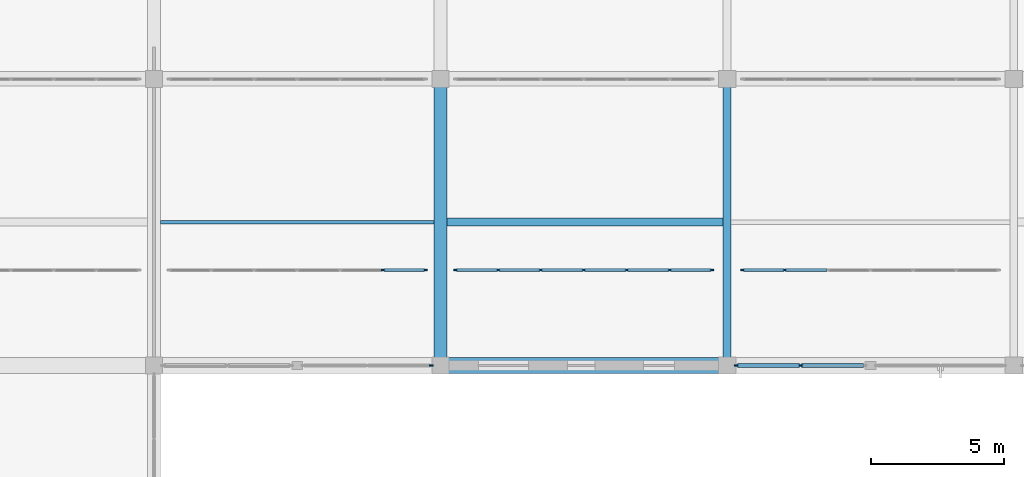
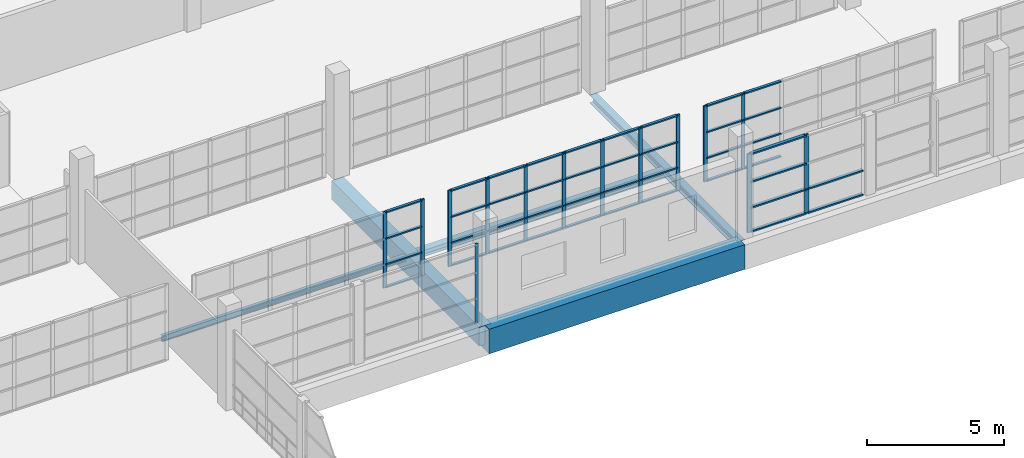
# One storey, part 43 of 142: 56 members, 5 beams, 5 elements without a shape of their own.
"""IFC4 building model written with IfcOpenShell, lengths in metres."""

from ifc_helpers import new_model, si_unit, direction, frame, origin, origin_2d, place, context, subcontext, project, spatial, rectangle, i_section, extrude, material, material_profile, profile_set, type_object, element, aggregate, save


model = new_model("IFC4")

# Units and contexts
model_context = context("Model", 3, precision=1e-05, world=origin(), true_north=direction((0.0, 1.0)))
body_context = subcontext(model_context, "Body", "Model", "MODEL_VIEW")
ifc_project = project(units=[si_unit("LENGTHUNIT", "METRE"), si_unit("AREAUNIT", "SQUARE_METRE"), si_unit("VOLUMEUNIT", "CUBIC_METRE"), si_unit("PLANEANGLEUNIT", "RADIAN"), si_unit("MASSUNIT", "GRAM", prefix="KILO")], contexts=[model_context])

# Site, building, storey
site_placement = place(None, origin())
site = spatial("IfcSite", under=ifc_project, at=site_placement, CompositionType="ELEMENT")
building_placement = place(site_placement, origin())
building = spatial("IfcBuilding", under=site, at=building_placement, Name="Zwinboog Wholesale Market", CompositionType="ELEMENT")
storey_placement = place(building_placement, frame((0.0, 0.0, 5.39990234375)))
storey = spatial("IfcBuildingStorey", under=building, at=storey_placement, Name="L01", CompositionType="ELEMENT", Elevation=5.39990234375)

# Beams
ifc_material_1 = material(Name="Precast concrete C45/55", Category="concrete")
ifc_material_profile_1 = material_profile(ifc_material_1, rectangle(XDim=0.60009765625, YDim=1.10009765625, at=origin_2d()), Name="PC 600x1100")
ifc_profile_set_1 = profile_set([ifc_material_profile_1], Name="Precast concrete C45/55")
beam_type_1 = type_object("IfcBeamType", Name="BT-01", PredefinedType="BEAM", material=ifc_profile_set_1)
beam_1_placement = place(storey_placement, frame((97.199951171875, 86.39990234375, -0.804931640625), z_axis=(1.0, 0.0, 0.0), x_axis=(0.0, 1.0, 0.0)))
element("IfcBeam", 1, at=beam_1_placement, inside=storey, type_object=beam_type_1, Name="BG-01 (BMG-L01-0972-0864-0518)", PredefinedType="BEAM", context=body_context, shape_type="SweptSolid", body=[
    extrude(rectangle(XDim=0.60009765625, YDim=1.10009765625, at=origin_2d()), origin(), (0.0, 0.0, 1.0), 10.800048828125),
])
ifc_material_profile_2 = material_profile(ifc_material_1, rectangle(XDim=0.5, YDim=0.85009765625, at=origin_2d()), Name="PC 500x850")
ifc_profile_set_2 = profile_set([ifc_material_profile_2], Name="Precast concrete C45/55")
beam_type_2 = type_object("IfcBeamType", Name="BT-03", PredefinedType="BEAM", material=ifc_profile_set_2)
beam_2_placement = place(storey_placement, frame((97.199951171875, 86.39990234375, -0.679931640625), z_axis=(0.0, 1.0, 0.0), x_axis=(-1.0, 0.0, 0.0)))
element("IfcBeam", 2, at=beam_2_placement, inside=storey, type_object=beam_type_2, Name="BG-03 (BMG-L01-0972-0864-0690)", PredefinedType="BEAM", context=body_context, shape_type="SweptSolid", body=[
    extrude(rectangle(XDim=0.5, YDim=0.85009765625, at=origin_2d()), origin(), (0.0, 0.0, 1.0), 10.800048828125),
])
ifc_material_2 = material(Name="Steel S355", Category="steel")
ifc_material_profile_3 = material_profile(ifc_material_2, i_section(OverallWidth=0.300048828125, OverallDepth=0.35009765625, WebThickness=0.010009765625, FlangeThickness=0.017578125, FilletRadius=0.027099609375, at=origin_2d()), Name="HEA 360")
ifc_profile_set_3 = profile_set([ifc_material_profile_3], Name="Steel S355")
beam_type_3 = type_object("IfcBeamType", Name="BT-17", PredefinedType="BEAM", material=ifc_profile_set_3)
beam_3_placement = place(storey_placement, frame((108.0, 86.39990234375, -0.429931640625), z_axis=(0.0, 1.0, 0.0), x_axis=(-1.0, 0.0, 0.0)))
element("IfcBeam", 3, at=beam_3_placement, inside=storey, type_object=beam_type_3, Name="SB-04 (BMG-L01-1080-0864-0694)", PredefinedType="BEAM", context=body_context, shape_type="SweptSolid", body=[
    extrude(i_section(OverallWidth=0.300048828125, OverallDepth=0.35009765625, WebThickness=0.010009765625, FlangeThickness=0.017578125, FilletRadius=0.027099609375, at=origin_2d()), origin(), (0.0, 0.0, 1.0), 10.800048828125),
])
ifc_material_profile_4 = material_profile(ifc_material_2, i_section(OverallWidth=0.300048828125, OverallDepth=0.2900390625, WebThickness=0.008544921875, FlangeThickness=0.013916015625, FilletRadius=0.027099609375, at=origin_2d()), Name="HEA 300")
ifc_profile_set_4 = profile_set([ifc_material_profile_4], Name="Steel S355")
beam_type_4 = type_object("IfcBeamType", Name="BT-18", PredefinedType="JOIST", material=ifc_profile_set_4)
beam_4_placement = place(storey_placement, frame((97.449951171875, 91.800048828125, -0.39990234375), z_axis=(1.0, 0.0, 0.0), x_axis=(0.0, 1.0, 0.0)))
element("IfcBeam", 4, at=beam_4_placement, inside=storey, type_object=beam_type_4, Name="SJ-01 (BMG-L01-0974-0918-0836)", PredefinedType="JOIST", context=body_context, shape_type="SweptSolid", body=[
    extrude(i_section(OverallWidth=0.300048828125, OverallDepth=0.2900390625, WebThickness=0.008544921875, FlangeThickness=0.013916015625, FilletRadius=0.027099609375, at=origin_2d()), origin(), (0.0, 0.0, 1.0), 10.400146484375),
])
ifc_material_profile_5 = material_profile(ifc_material_2, i_section(OverallWidth=0.135009765625, OverallDepth=0.27001953125, WebThickness=0.006591796875, FlangeThickness=0.01025390625, FilletRadius=0.014892578125, at=origin_2d()), Name="IPE 270")
ifc_profile_set_5 = profile_set([ifc_material_profile_5], Name="Steel S355")
beam_type_5 = type_object("IfcBeamType", Name="BT-21", PredefinedType="JOIST", material=ifc_profile_set_5)
beam_5_placement = place(storey_placement, frame((86.64990234375, 91.800048828125, -0.414794921875), z_axis=(1.0, 0.0, 0.0), x_axis=(0.0, 1.0, 0.0)))
element("IfcBeam", 5, at=beam_5_placement, inside=storey, type_object=beam_type_5, Name="SJ-04 (BMG-L01-0866-0918-0834)", PredefinedType="JOIST", context=body_context, shape_type="SweptSolid", body=[
    extrude(i_section(OverallWidth=0.135009765625, OverallDepth=0.27001953125, WebThickness=0.006591796875, FlangeThickness=0.01025390625, FilletRadius=0.014892578125, at=origin_2d()), origin(), (0.0, 0.0, 1.0), 10.300048828125),
])

# Curtain wall, members
ifc_material_3 = material(Name="Aluminium thermally broken curtain wall", Category="aluminium")
curtain_wall_type_1 = type_object("IfcCurtainWallType", Name="CWT-CAFE-22", PredefinedType="USERDEFINED", material=ifc_material_3)
curtain_wall_1_placement = place(storey_placement, origin())
curtain_wall_1 = element("IfcCurtainWall", 6, at=curtain_wall_1_placement, inside=storey, type_object=curtain_wall_type_1, Name="CW-05 (CW-L01-107)", ObjectType="STOREFRONT_GLAZING", PredefinedType="USERDEFINED")
ifc_material_4 = material(Name="Aluminium EN AW-6060", Category="aluminium")
ifc_material_profile_6 = material_profile(ifc_material_4, rectangle(XDim=0.06494140625, YDim=0.179931640625, at=origin_2d()), Name="AL 65x180")
ifc_profile_set_6 = profile_set([ifc_material_profile_6], Name="Aluminium EN AW-6060")
member_type_1 = type_object("IfcMemberType", Name="CWM-65x180", PredefinedType="MULLION", material=ifc_profile_set_6)
member_1_placement = place(storey_placement, frame((108.3525390625, 86.39990234375, 0.0), z_axis=(0.0, 0.0, 1.0), x_axis=(0.0, 1.0, 0.0)))
member_1 = element("IfcMember", 7, at=member_1_placement, type_object=member_type_1, Name="CW-05 mullion 1", PredefinedType="MULLION", context=body_context, shape_type="SweptSolid", body=[
    extrude(rectangle(XDim=0.06494140625, YDim=0.179931640625, at=origin_2d()), origin(), (0.0, 0.0, 1.0), 3.530029296875),
])
member_2_placement = place(storey_placement, frame((110.760009765625, 86.39990234375, 0.0), z_axis=(0.0, 0.0, 1.0), x_axis=(0.0, 1.0, 0.0)))
member_2 = element("IfcMember", 8, at=member_2_placement, type_object=member_type_1, Name="CW-05 mullion 2", PredefinedType="MULLION", context=body_context, shape_type="SweptSolid", body=[
    extrude(rectangle(XDim=0.06494140625, YDim=0.179931640625, at=origin_2d()), origin(), (0.0, 0.0, 1.0), 3.530029296875),
])

# Curtain wall, member
curtain_wall_type_2 = type_object("IfcCurtainWallType", Name="CWT-STALL-20", PredefinedType="USERDEFINED", material=ifc_material_3)
curtain_wall_2_placement = place(storey_placement, origin())
curtain_wall_2 = element("IfcCurtainWall", 9, at=curtain_wall_2_placement, inside=storey, type_object=curtain_wall_type_2, Name="CW-02 (CW-L01-098)", ObjectType="STOREFRONT_GLAZING", PredefinedType="USERDEFINED")
ifc_material_profile_7 = material_profile(ifc_material_4, rectangle(XDim=0.06005859375, YDim=0.14990234375, at=origin_2d()), Name="AL 60x150")
ifc_profile_set_7 = profile_set([ifc_material_profile_7], Name="Aluminium EN AW-6060")
member_type_2 = type_object("IfcMemberType", Name="CWM-60x150", PredefinedType="MULLION", material=ifc_profile_set_7)
member_3_placement = place(storey_placement, frame((96.85009765625, 86.39990234375, 0.0), z_axis=(0.0, 0.0, 1.0), x_axis=(0.0, 1.0, 0.0)))
member_3 = element("IfcMember", 10, at=member_3_placement, type_object=member_type_2, Name="CW-02 mullion 3", PredefinedType="MULLION", context=body_context, shape_type="SweptSolid", body=[
    extrude(rectangle(XDim=0.06005859375, YDim=0.14990234375, at=origin_2d()), origin(), (0.0, 0.0, 1.0), 3.530029296875),
])
aggregate(curtain_wall_2, [member_3])

# Member
ifc_material_profile_8 = material_profile(ifc_material_4, rectangle(XDim=0.139892578125, YDim=0.06494140625, at=origin_2d()), Name="AL 65x140")
ifc_profile_set_8 = profile_set([ifc_material_profile_8], Name="Aluminium EN AW-6060")
member_type_3 = type_object("IfcMemberType", Name="CWT-65x140", PredefinedType="USERDEFINED", material=ifc_profile_set_8)
member_4_placement = place(storey_placement, frame((108.385009765625, 86.39990234375, 0.03271484375), z_axis=(1.0, 0.0, 0.0), x_axis=(0.0, 1.0, 0.0)))
member_4 = element("IfcMember", 11, at=member_4_placement, type_object=member_type_3, Name="CW-05 transom 1.1", ObjectType="TRANSOM", PredefinedType="USERDEFINED", context=body_context, shape_type="SweptSolid", body=[
    extrude(rectangle(XDim=0.139892578125, YDim=0.06494140625, at=origin_2d()), origin(), (0.0, 0.0, 1.0), 2.342529296875),
])

member_5_placement = place(storey_placement, frame((108.385009765625, 86.39990234375, 1.10009765625), z_axis=(1.0, 0.0, 0.0), x_axis=(0.0, 1.0, 0.0)))
member_5 = element("IfcMember", 12, at=member_5_placement, type_object=member_type_3, Name="CW-05 transom 1.2", ObjectType="TRANSOM", PredefinedType="USERDEFINED", context=body_context, shape_type="SweptSolid", body=[
    extrude(rectangle(XDim=0.139892578125, YDim=0.06494140625, at=origin_2d()), origin(), (0.0, 0.0, 1.0), 2.342529296875),
])

member_6_placement = place(storey_placement, frame((108.385009765625, 86.39990234375, 2.25), z_axis=(1.0, 0.0, 0.0), x_axis=(0.0, 1.0, 0.0)))
member_6 = element("IfcMember", 13, at=member_6_placement, type_object=member_type_3, Name="CW-05 transom 1.3", ObjectType="TRANSOM", PredefinedType="USERDEFINED", context=body_context, shape_type="SweptSolid", body=[
    extrude(rectangle(XDim=0.139892578125, YDim=0.06494140625, at=origin_2d()), origin(), (0.0, 0.0, 1.0), 2.342529296875),
])

member_7_placement = place(storey_placement, frame((108.385009765625, 86.39990234375, 3.49755859375), z_axis=(1.0, 0.0, 0.0), x_axis=(0.0, 1.0, 0.0)))
member_7 = element("IfcMember", 14, at=member_7_placement, type_object=member_type_3, Name="CW-05 transom 1.4", ObjectType="TRANSOM", PredefinedType="USERDEFINED", context=body_context, shape_type="SweptSolid", body=[
    extrude(rectangle(XDim=0.139892578125, YDim=0.06494140625, at=origin_2d()), origin(), (0.0, 0.0, 1.0), 2.342529296875),
])

member_8_placement = place(storey_placement, frame((110.79248046875, 86.39990234375, 0.03271484375), z_axis=(1.0, 0.0, 0.0), x_axis=(0.0, 1.0, 0.0)))
member_8 = element("IfcMember", 15, at=member_8_placement, type_object=member_type_3, Name="CW-05 transom 2.1", ObjectType="TRANSOM", PredefinedType="USERDEFINED", context=body_context, shape_type="SweptSolid", body=[
    extrude(rectangle(XDim=0.139892578125, YDim=0.06494140625, at=origin_2d()), origin(), (0.0, 0.0, 1.0), 2.342529296875),
])

member_9_placement = place(storey_placement, frame((110.79248046875, 86.39990234375, 1.10009765625), z_axis=(1.0, 0.0, 0.0), x_axis=(0.0, 1.0, 0.0)))
member_9 = element("IfcMember", 16, at=member_9_placement, type_object=member_type_3, Name="CW-05 transom 2.2", ObjectType="TRANSOM", PredefinedType="USERDEFINED", context=body_context, shape_type="SweptSolid", body=[
    extrude(rectangle(XDim=0.139892578125, YDim=0.06494140625, at=origin_2d()), origin(), (0.0, 0.0, 1.0), 2.342529296875),
])

aggregate(curtain_wall_1, [member_1, member_2, member_4, member_5, member_6, member_7, member_8, member_9])

# Curtain wall, members
curtain_wall_type_3 = type_object("IfcCurtainWallType", Name="CWT-INT-STALL", PredefinedType="USERDEFINED", material=ifc_material_3)
curtain_wall_3_placement = place(storey_placement, origin())
curtain_wall_3 = element("IfcCurtainWall", 17, at=curtain_wall_3_placement, inside=storey, type_object=curtain_wall_type_3, Name="CW-07 (CW-STL-237)", ObjectType="STOREFRONT_GLAZING", PredefinedType="USERDEFINED")
ifc_material_profile_9 = material_profile(ifc_material_4, rectangle(XDim=0.06005859375, YDim=0.14990234375, at=origin_2d()), Name="AL 60x150")
ifc_profile_set_9 = profile_set([ifc_material_profile_9], Name="Aluminium EN AW-6060")
member_type_4 = type_object("IfcMemberType", Name="CWM-INT-60x120", PredefinedType="MULLION", material=ifc_profile_set_9)
member_10_placement = place(storey_placement, frame((95.033447265625, 90.0, 0.0), z_axis=(0.0, 0.0, 1.0), x_axis=(0.0, 1.0, 0.0)))
member_10 = element("IfcMember", 18, at=member_10_placement, type_object=member_type_4, Name="CW-07 mullion 6", PredefinedType="MULLION", context=body_context, shape_type="SweptSolid", body=[
    extrude(rectangle(XDim=0.06005859375, YDim=0.14990234375, at=origin_2d()), origin(), (0.0, 0.0, 1.0), 3.400146484375),
])
member_11_placement = place(storey_placement, frame((96.6201171875, 90.0, 0.0), z_axis=(0.0, 0.0, 1.0), x_axis=(0.0, 1.0, 0.0)))
member_11 = element("IfcMember", 19, at=member_11_placement, type_object=member_type_4, Name="CW-07 mullion 7", PredefinedType="MULLION", context=body_context, shape_type="SweptSolid", body=[
    extrude(rectangle(XDim=0.06005859375, YDim=0.14990234375, at=origin_2d()), origin(), (0.0, 0.0, 1.0), 3.400146484375),
])

curtain_wall_4_placement = place(storey_placement, origin())
curtain_wall_4 = element("IfcCurtainWall", 20, at=curtain_wall_4_placement, inside=storey, type_object=curtain_wall_type_3, Name="CW-07 (CW-STL-238)", ObjectType="STOREFRONT_GLAZING", PredefinedType="USERDEFINED")
member_12_placement = place(storey_placement, frame((97.780029296875, 90.0, 0.0), z_axis=(0.0, 0.0, 1.0), x_axis=(0.0, 1.0, 0.0)))
member_12 = element("IfcMember", 21, at=member_12_placement, type_object=member_type_4, Name="CW-07 mullion 1", PredefinedType="MULLION", context=body_context, shape_type="SweptSolid", body=[
    extrude(rectangle(XDim=0.06005859375, YDim=0.14990234375, at=origin_2d()), origin(), (0.0, 0.0, 1.0), 3.400146484375),
])
member_13_placement = place(storey_placement, frame((99.36669921875, 90.0, 0.0), z_axis=(0.0, 0.0, 1.0), x_axis=(0.0, 1.0, 0.0)))
member_13 = element("IfcMember", 22, at=member_13_placement, type_object=member_type_4, Name="CW-07 mullion 2", PredefinedType="MULLION", context=body_context, shape_type="SweptSolid", body=[
    extrude(rectangle(XDim=0.06005859375, YDim=0.14990234375, at=origin_2d()), origin(), (0.0, 0.0, 1.0), 3.400146484375),
])
member_14_placement = place(storey_placement, frame((100.9833984375, 90.0, 0.0), z_axis=(0.0, 0.0, 1.0), x_axis=(0.0, 1.0, 0.0)))
member_14 = element("IfcMember", 23, at=member_14_placement, type_object=member_type_4, Name="CW-07 mullion 3", PredefinedType="MULLION", context=body_context, shape_type="SweptSolid", body=[
    extrude(rectangle(XDim=0.06005859375, YDim=0.14990234375, at=origin_2d()), origin(), (0.0, 0.0, 1.0), 3.400146484375),
])
member_15_placement = place(storey_placement, frame((102.60009765625, 90.0, 0.0), z_axis=(0.0, 0.0, 1.0), x_axis=(0.0, 1.0, 0.0)))
member_15 = element("IfcMember", 24, at=member_15_placement, type_object=member_type_4, Name="CW-07 mullion 4", PredefinedType="MULLION", context=body_context, shape_type="SweptSolid", body=[
    extrude(rectangle(XDim=0.06005859375, YDim=0.14990234375, at=origin_2d()), origin(), (0.0, 0.0, 1.0), 3.400146484375),
])
member_16_placement = place(storey_placement, frame((104.216552734375, 90.0, 0.0), z_axis=(0.0, 0.0, 1.0), x_axis=(0.0, 1.0, 0.0)))
member_16 = element("IfcMember", 25, at=member_16_placement, type_object=member_type_4, Name="CW-07 mullion 5", PredefinedType="MULLION", context=body_context, shape_type="SweptSolid", body=[
    extrude(rectangle(XDim=0.06005859375, YDim=0.14990234375, at=origin_2d()), origin(), (0.0, 0.0, 1.0), 3.400146484375),
])
member_17_placement = place(storey_placement, frame((105.833251953125, 90.0, 0.0), z_axis=(0.0, 0.0, 1.0), x_axis=(0.0, 1.0, 0.0)))
member_17 = element("IfcMember", 26, at=member_17_placement, type_object=member_type_4, Name="CW-07 mullion 6", PredefinedType="MULLION", context=body_context, shape_type="SweptSolid", body=[
    extrude(rectangle(XDim=0.06005859375, YDim=0.14990234375, at=origin_2d()), origin(), (0.0, 0.0, 1.0), 3.400146484375),
])
member_18_placement = place(storey_placement, frame((107.419921875, 90.0, 0.0), z_axis=(0.0, 0.0, 1.0), x_axis=(0.0, 1.0, 0.0)))
member_18 = element("IfcMember", 27, at=member_18_placement, type_object=member_type_4, Name="CW-07 mullion 7", PredefinedType="MULLION", context=body_context, shape_type="SweptSolid", body=[
    extrude(rectangle(XDim=0.06005859375, YDim=0.14990234375, at=origin_2d()), origin(), (0.0, 0.0, 1.0), 3.400146484375),
])

curtain_wall_5_placement = place(storey_placement, origin())
curtain_wall_5 = element("IfcCurtainWall", 28, at=curtain_wall_5_placement, inside=storey, type_object=curtain_wall_type_3, Name="CW-07 (CW-STL-239)", ObjectType="STOREFRONT_GLAZING", PredefinedType="USERDEFINED")
member_19_placement = place(storey_placement, frame((108.580078125, 90.0, 0.0), z_axis=(0.0, 0.0, 1.0), x_axis=(0.0, 1.0, 0.0)))
member_19 = element("IfcMember", 29, at=member_19_placement, type_object=member_type_4, Name="CW-07 mullion 1", PredefinedType="MULLION", context=body_context, shape_type="SweptSolid", body=[
    extrude(rectangle(XDim=0.06005859375, YDim=0.14990234375, at=origin_2d()), origin(), (0.0, 0.0, 1.0), 3.400146484375),
])
member_20_placement = place(storey_placement, frame((110.166748046875, 90.0, 0.0), z_axis=(0.0, 0.0, 1.0), x_axis=(0.0, 1.0, 0.0)))
member_20 = element("IfcMember", 30, at=member_20_placement, type_object=member_type_4, Name="CW-07 mullion 2", PredefinedType="MULLION", context=body_context, shape_type="SweptSolid", body=[
    extrude(rectangle(XDim=0.06005859375, YDim=0.14990234375, at=origin_2d()), origin(), (0.0, 0.0, 1.0), 3.400146484375),
])

# Member
ifc_material_profile_10 = material_profile(ifc_material_4, rectangle(XDim=0.110107421875, YDim=0.06005859375, at=origin_2d()), Name="AL 60x110")
ifc_profile_set_10 = profile_set([ifc_material_profile_10], Name="Aluminium EN AW-6060")
member_type_5 = type_object("IfcMemberType", Name="CWT-INT-60x100", PredefinedType="USERDEFINED", material=ifc_profile_set_10)
member_21_placement = place(storey_placement, frame((95.063232421875, 90.0, 0.030029296875), z_axis=(1.0, 0.0, 0.0), x_axis=(0.0, 1.0, 0.0)))
member_21 = element("IfcMember", 31, at=member_21_placement, type_object=member_type_5, Name="CW-07 transom 6.1", ObjectType="TRANSOM", PredefinedType="USERDEFINED", context=body_context, shape_type="SweptSolid", body=[
    extrude(rectangle(XDim=0.110107421875, YDim=0.06005859375, at=origin_2d()), origin(), (0.0, 0.0, 1.0), 1.52685546875),
])

member_22_placement = place(storey_placement, frame((95.063232421875, 90.0, 1.050048828125), z_axis=(1.0, 0.0, 0.0), x_axis=(0.0, 1.0, 0.0)))
member_22 = element("IfcMember", 32, at=member_22_placement, type_object=member_type_5, Name="CW-07 transom 6.2", ObjectType="TRANSOM", PredefinedType="USERDEFINED", context=body_context, shape_type="SweptSolid", body=[
    extrude(rectangle(XDim=0.110107421875, YDim=0.06005859375, at=origin_2d()), origin(), (0.0, 0.0, 1.0), 1.52685546875),
])

member_23_placement = place(storey_placement, frame((95.063232421875, 90.0, 2.2001953125), z_axis=(1.0, 0.0, 0.0), x_axis=(0.0, 1.0, 0.0)))
member_23 = element("IfcMember", 33, at=member_23_placement, type_object=member_type_5, Name="CW-07 transom 6.3", ObjectType="TRANSOM", PredefinedType="USERDEFINED", context=body_context, shape_type="SweptSolid", body=[
    extrude(rectangle(XDim=0.110107421875, YDim=0.06005859375, at=origin_2d()), origin(), (0.0, 0.0, 1.0), 1.52685546875),
])

member_24_placement = place(storey_placement, frame((95.063232421875, 90.0, 3.3701171875), z_axis=(1.0, 0.0, 0.0), x_axis=(0.0, 1.0, 0.0)))
member_24 = element("IfcMember", 34, at=member_24_placement, type_object=member_type_5, Name="CW-07 transom 6.4", ObjectType="TRANSOM", PredefinedType="USERDEFINED", context=body_context, shape_type="SweptSolid", body=[
    extrude(rectangle(XDim=0.110107421875, YDim=0.06005859375, at=origin_2d()), origin(), (0.0, 0.0, 1.0), 1.52685546875),
])

aggregate(curtain_wall_3, [member_10, member_11, member_21, member_22, member_23, member_24])

member_25_placement = place(storey_placement, frame((97.81005859375, 90.0, 0.030029296875), z_axis=(1.0, 0.0, 0.0), x_axis=(0.0, 1.0, 0.0)))
member_25 = element("IfcMember", 35, at=member_25_placement, type_object=member_type_5, Name="CW-07 transom 1.1", ObjectType="TRANSOM", PredefinedType="USERDEFINED", context=body_context, shape_type="SweptSolid", body=[
    extrude(rectangle(XDim=0.110107421875, YDim=0.06005859375, at=origin_2d()), origin(), (0.0, 0.0, 1.0), 1.526611328125),
])

member_26_placement = place(storey_placement, frame((97.81005859375, 90.0, 1.050048828125), z_axis=(1.0, 0.0, 0.0), x_axis=(0.0, 1.0, 0.0)))
member_26 = element("IfcMember", 36, at=member_26_placement, type_object=member_type_5, Name="CW-07 transom 1.2", ObjectType="TRANSOM", PredefinedType="USERDEFINED", context=body_context, shape_type="SweptSolid", body=[
    extrude(rectangle(XDim=0.110107421875, YDim=0.06005859375, at=origin_2d()), origin(), (0.0, 0.0, 1.0), 1.526611328125),
])

member_27_placement = place(storey_placement, frame((97.81005859375, 90.0, 2.2001953125), z_axis=(1.0, 0.0, 0.0), x_axis=(0.0, 1.0, 0.0)))
member_27 = element("IfcMember", 37, at=member_27_placement, type_object=member_type_5, Name="CW-07 transom 1.3", ObjectType="TRANSOM", PredefinedType="USERDEFINED", context=body_context, shape_type="SweptSolid", body=[
    extrude(rectangle(XDim=0.110107421875, YDim=0.06005859375, at=origin_2d()), origin(), (0.0, 0.0, 1.0), 1.526611328125),
])

member_28_placement = place(storey_placement, frame((97.81005859375, 90.0, 3.3701171875), z_axis=(1.0, 0.0, 0.0), x_axis=(0.0, 1.0, 0.0)))
member_28 = element("IfcMember", 38, at=member_28_placement, type_object=member_type_5, Name="CW-07 transom 1.4", ObjectType="TRANSOM", PredefinedType="USERDEFINED", context=body_context, shape_type="SweptSolid", body=[
    extrude(rectangle(XDim=0.110107421875, YDim=0.06005859375, at=origin_2d()), origin(), (0.0, 0.0, 1.0), 1.526611328125),
])

member_29_placement = place(storey_placement, frame((99.396728515625, 90.0, 0.030029296875), z_axis=(1.0, 0.0, 0.0), x_axis=(0.0, 1.0, 0.0)))
member_29 = element("IfcMember", 39, at=member_29_placement, type_object=member_type_5, Name="CW-07 transom 2.1", ObjectType="TRANSOM", PredefinedType="USERDEFINED", context=body_context, shape_type="SweptSolid", body=[
    extrude(rectangle(XDim=0.110107421875, YDim=0.06005859375, at=origin_2d()), origin(), (0.0, 0.0, 1.0), 1.556640625),
])

member_30_placement = place(storey_placement, frame((99.396728515625, 90.0, 1.050048828125), z_axis=(1.0, 0.0, 0.0), x_axis=(0.0, 1.0, 0.0)))
member_30 = element("IfcMember", 40, at=member_30_placement, type_object=member_type_5, Name="CW-07 transom 2.2", ObjectType="TRANSOM", PredefinedType="USERDEFINED", context=body_context, shape_type="SweptSolid", body=[
    extrude(rectangle(XDim=0.110107421875, YDim=0.06005859375, at=origin_2d()), origin(), (0.0, 0.0, 1.0), 1.556640625),
])

member_31_placement = place(storey_placement, frame((99.396728515625, 90.0, 2.2001953125), z_axis=(1.0, 0.0, 0.0), x_axis=(0.0, 1.0, 0.0)))
member_31 = element("IfcMember", 41, at=member_31_placement, type_object=member_type_5, Name="CW-07 transom 2.3", ObjectType="TRANSOM", PredefinedType="USERDEFINED", context=body_context, shape_type="SweptSolid", body=[
    extrude(rectangle(XDim=0.110107421875, YDim=0.06005859375, at=origin_2d()), origin(), (0.0, 0.0, 1.0), 1.556640625),
])

member_32_placement = place(storey_placement, frame((99.396728515625, 90.0, 3.3701171875), z_axis=(1.0, 0.0, 0.0), x_axis=(0.0, 1.0, 0.0)))
member_32 = element("IfcMember", 42, at=member_32_placement, type_object=member_type_5, Name="CW-07 transom 2.4", ObjectType="TRANSOM", PredefinedType="USERDEFINED", context=body_context, shape_type="SweptSolid", body=[
    extrude(rectangle(XDim=0.110107421875, YDim=0.06005859375, at=origin_2d()), origin(), (0.0, 0.0, 1.0), 1.556640625),
])

member_33_placement = place(storey_placement, frame((101.013427734375, 90.0, 0.030029296875), z_axis=(1.0, 0.0, 0.0), x_axis=(0.0, 1.0, 0.0)))
member_33 = element("IfcMember", 43, at=member_33_placement, type_object=member_type_5, Name="CW-07 transom 3.1", ObjectType="TRANSOM", PredefinedType="USERDEFINED", context=body_context, shape_type="SweptSolid", body=[
    extrude(rectangle(XDim=0.110107421875, YDim=0.06005859375, at=origin_2d()), origin(), (0.0, 0.0, 1.0), 1.556640625),
])

member_34_placement = place(storey_placement, frame((101.013427734375, 90.0, 1.050048828125), z_axis=(1.0, 0.0, 0.0), x_axis=(0.0, 1.0, 0.0)))
member_34 = element("IfcMember", 44, at=member_34_placement, type_object=member_type_5, Name="CW-07 transom 3.2", ObjectType="TRANSOM", PredefinedType="USERDEFINED", context=body_context, shape_type="SweptSolid", body=[
    extrude(rectangle(XDim=0.110107421875, YDim=0.06005859375, at=origin_2d()), origin(), (0.0, 0.0, 1.0), 1.556640625),
])

member_35_placement = place(storey_placement, frame((101.013427734375, 90.0, 2.2001953125), z_axis=(1.0, 0.0, 0.0), x_axis=(0.0, 1.0, 0.0)))
member_35 = element("IfcMember", 45, at=member_35_placement, type_object=member_type_5, Name="CW-07 transom 3.3", ObjectType="TRANSOM", PredefinedType="USERDEFINED", context=body_context, shape_type="SweptSolid", body=[
    extrude(rectangle(XDim=0.110107421875, YDim=0.06005859375, at=origin_2d()), origin(), (0.0, 0.0, 1.0), 1.556640625),
])

member_36_placement = place(storey_placement, frame((101.013427734375, 90.0, 3.3701171875), z_axis=(1.0, 0.0, 0.0), x_axis=(0.0, 1.0, 0.0)))
member_36 = element("IfcMember", 46, at=member_36_placement, type_object=member_type_5, Name="CW-07 transom 3.4", ObjectType="TRANSOM", PredefinedType="USERDEFINED", context=body_context, shape_type="SweptSolid", body=[
    extrude(rectangle(XDim=0.110107421875, YDim=0.06005859375, at=origin_2d()), origin(), (0.0, 0.0, 1.0), 1.556640625),
])

member_37_placement = place(storey_placement, frame((102.6298828125, 90.0, 0.030029296875), z_axis=(1.0, 0.0, 0.0), x_axis=(0.0, 1.0, 0.0)))
member_37 = element("IfcMember", 47, at=member_37_placement, type_object=member_type_5, Name="CW-07 transom 4.1", ObjectType="TRANSOM", PredefinedType="USERDEFINED", context=body_context, shape_type="SweptSolid", body=[
    extrude(rectangle(XDim=0.110107421875, YDim=0.06005859375, at=origin_2d()), origin(), (0.0, 0.0, 1.0), 1.556884765625),
])

member_38_placement = place(storey_placement, frame((102.6298828125, 90.0, 1.050048828125), z_axis=(1.0, 0.0, 0.0), x_axis=(0.0, 1.0, 0.0)))
member_38 = element("IfcMember", 48, at=member_38_placement, type_object=member_type_5, Name="CW-07 transom 4.2", ObjectType="TRANSOM", PredefinedType="USERDEFINED", context=body_context, shape_type="SweptSolid", body=[
    extrude(rectangle(XDim=0.110107421875, YDim=0.06005859375, at=origin_2d()), origin(), (0.0, 0.0, 1.0), 1.556884765625),
])

member_39_placement = place(storey_placement, frame((102.6298828125, 90.0, 2.2001953125), z_axis=(1.0, 0.0, 0.0), x_axis=(0.0, 1.0, 0.0)))
member_39 = element("IfcMember", 49, at=member_39_placement, type_object=member_type_5, Name="CW-07 transom 4.3", ObjectType="TRANSOM", PredefinedType="USERDEFINED", context=body_context, shape_type="SweptSolid", body=[
    extrude(rectangle(XDim=0.110107421875, YDim=0.06005859375, at=origin_2d()), origin(), (0.0, 0.0, 1.0), 1.556884765625),
])

member_40_placement = place(storey_placement, frame((102.6298828125, 90.0, 3.3701171875), z_axis=(1.0, 0.0, 0.0), x_axis=(0.0, 1.0, 0.0)))
member_40 = element("IfcMember", 50, at=member_40_placement, type_object=member_type_5, Name="CW-07 transom 4.4", ObjectType="TRANSOM", PredefinedType="USERDEFINED", context=body_context, shape_type="SweptSolid", body=[
    extrude(rectangle(XDim=0.110107421875, YDim=0.06005859375, at=origin_2d()), origin(), (0.0, 0.0, 1.0), 1.556884765625),
])

member_41_placement = place(storey_placement, frame((104.24658203125, 90.0, 0.030029296875), z_axis=(1.0, 0.0, 0.0), x_axis=(0.0, 1.0, 0.0)))
member_41 = element("IfcMember", 51, at=member_41_placement, type_object=member_type_5, Name="CW-07 transom 5.1", ObjectType="TRANSOM", PredefinedType="USERDEFINED", context=body_context, shape_type="SweptSolid", body=[
    extrude(rectangle(XDim=0.110107421875, YDim=0.06005859375, at=origin_2d()), origin(), (0.0, 0.0, 1.0), 1.556640625),
])

member_42_placement = place(storey_placement, frame((104.24658203125, 90.0, 1.050048828125), z_axis=(1.0, 0.0, 0.0), x_axis=(0.0, 1.0, 0.0)))
member_42 = element("IfcMember", 52, at=member_42_placement, type_object=member_type_5, Name="CW-07 transom 5.2", ObjectType="TRANSOM", PredefinedType="USERDEFINED", context=body_context, shape_type="SweptSolid", body=[
    extrude(rectangle(XDim=0.110107421875, YDim=0.06005859375, at=origin_2d()), origin(), (0.0, 0.0, 1.0), 1.556640625),
])

member_43_placement = place(storey_placement, frame((104.24658203125, 90.0, 2.2001953125), z_axis=(1.0, 0.0, 0.0), x_axis=(0.0, 1.0, 0.0)))
member_43 = element("IfcMember", 53, at=member_43_placement, type_object=member_type_5, Name="CW-07 transom 5.3", ObjectType="TRANSOM", PredefinedType="USERDEFINED", context=body_context, shape_type="SweptSolid", body=[
    extrude(rectangle(XDim=0.110107421875, YDim=0.06005859375, at=origin_2d()), origin(), (0.0, 0.0, 1.0), 1.556640625),
])

member_44_placement = place(storey_placement, frame((104.24658203125, 90.0, 3.3701171875), z_axis=(1.0, 0.0, 0.0), x_axis=(0.0, 1.0, 0.0)))
member_44 = element("IfcMember", 54, at=member_44_placement, type_object=member_type_5, Name="CW-07 transom 5.4", ObjectType="TRANSOM", PredefinedType="USERDEFINED", context=body_context, shape_type="SweptSolid", body=[
    extrude(rectangle(XDim=0.110107421875, YDim=0.06005859375, at=origin_2d()), origin(), (0.0, 0.0, 1.0), 1.556640625),
])

member_45_placement = place(storey_placement, frame((105.86328125, 90.0, 0.030029296875), z_axis=(1.0, 0.0, 0.0), x_axis=(0.0, 1.0, 0.0)))
member_45 = element("IfcMember", 55, at=member_45_placement, type_object=member_type_5, Name="CW-07 transom 6.1", ObjectType="TRANSOM", PredefinedType="USERDEFINED", context=body_context, shape_type="SweptSolid", body=[
    extrude(rectangle(XDim=0.110107421875, YDim=0.06005859375, at=origin_2d()), origin(), (0.0, 0.0, 1.0), 1.526611328125),
])

member_46_placement = place(storey_placement, frame((105.86328125, 90.0, 1.050048828125), z_axis=(1.0, 0.0, 0.0), x_axis=(0.0, 1.0, 0.0)))
member_46 = element("IfcMember", 56, at=member_46_placement, type_object=member_type_5, Name="CW-07 transom 6.2", ObjectType="TRANSOM", PredefinedType="USERDEFINED", context=body_context, shape_type="SweptSolid", body=[
    extrude(rectangle(XDim=0.110107421875, YDim=0.06005859375, at=origin_2d()), origin(), (0.0, 0.0, 1.0), 1.526611328125),
])

member_47_placement = place(storey_placement, frame((105.86328125, 90.0, 2.2001953125), z_axis=(1.0, 0.0, 0.0), x_axis=(0.0, 1.0, 0.0)))
member_47 = element("IfcMember", 57, at=member_47_placement, type_object=member_type_5, Name="CW-07 transom 6.3", ObjectType="TRANSOM", PredefinedType="USERDEFINED", context=body_context, shape_type="SweptSolid", body=[
    extrude(rectangle(XDim=0.110107421875, YDim=0.06005859375, at=origin_2d()), origin(), (0.0, 0.0, 1.0), 1.526611328125),
])

member_48_placement = place(storey_placement, frame((105.86328125, 90.0, 3.3701171875), z_axis=(1.0, 0.0, 0.0), x_axis=(0.0, 1.0, 0.0)))
member_48 = element("IfcMember", 58, at=member_48_placement, type_object=member_type_5, Name="CW-07 transom 6.4", ObjectType="TRANSOM", PredefinedType="USERDEFINED", context=body_context, shape_type="SweptSolid", body=[
    extrude(rectangle(XDim=0.110107421875, YDim=0.06005859375, at=origin_2d()), origin(), (0.0, 0.0, 1.0), 1.526611328125),
])

aggregate(curtain_wall_4, [member_12, member_13, member_14, member_15, member_16, member_17, member_18, member_25, member_26, member_27, member_28, member_29, member_30, member_31, member_32, member_33, member_34, member_35, member_36, member_37, member_38, member_39, member_40, member_41, member_42, member_43, member_44, member_45, member_46, member_47, member_48])

member_49_placement = place(storey_placement, frame((108.610107421875, 90.0, 0.030029296875), z_axis=(1.0, 0.0, 0.0), x_axis=(0.0, 1.0, 0.0)))
member_49 = element("IfcMember", 59, at=member_49_placement, type_object=member_type_5, Name="CW-07 transom 1.1", ObjectType="TRANSOM", PredefinedType="USERDEFINED", context=body_context, shape_type="SweptSolid", body=[
    extrude(rectangle(XDim=0.110107421875, YDim=0.06005859375, at=origin_2d()), origin(), (0.0, 0.0, 1.0), 1.526611328125),
])

member_50_placement = place(storey_placement, frame((108.610107421875, 90.0, 1.050048828125), z_axis=(1.0, 0.0, 0.0), x_axis=(0.0, 1.0, 0.0)))
member_50 = element("IfcMember", 60, at=member_50_placement, type_object=member_type_5, Name="CW-07 transom 1.2", ObjectType="TRANSOM", PredefinedType="USERDEFINED", context=body_context, shape_type="SweptSolid", body=[
    extrude(rectangle(XDim=0.110107421875, YDim=0.06005859375, at=origin_2d()), origin(), (0.0, 0.0, 1.0), 1.526611328125),
])

member_51_placement = place(storey_placement, frame((108.610107421875, 90.0, 2.2001953125), z_axis=(1.0, 0.0, 0.0), x_axis=(0.0, 1.0, 0.0)))
member_51 = element("IfcMember", 61, at=member_51_placement, type_object=member_type_5, Name="CW-07 transom 1.3", ObjectType="TRANSOM", PredefinedType="USERDEFINED", context=body_context, shape_type="SweptSolid", body=[
    extrude(rectangle(XDim=0.110107421875, YDim=0.06005859375, at=origin_2d()), origin(), (0.0, 0.0, 1.0), 1.526611328125),
])

member_52_placement = place(storey_placement, frame((108.610107421875, 90.0, 3.3701171875), z_axis=(1.0, 0.0, 0.0), x_axis=(0.0, 1.0, 0.0)))
member_52 = element("IfcMember", 62, at=member_52_placement, type_object=member_type_5, Name="CW-07 transom 1.4", ObjectType="TRANSOM", PredefinedType="USERDEFINED", context=body_context, shape_type="SweptSolid", body=[
    extrude(rectangle(XDim=0.110107421875, YDim=0.06005859375, at=origin_2d()), origin(), (0.0, 0.0, 1.0), 1.526611328125),
])

member_53_placement = place(storey_placement, frame((110.19677734375, 90.0, 0.030029296875), z_axis=(1.0, 0.0, 0.0), x_axis=(0.0, 1.0, 0.0)))
member_53 = element("IfcMember", 63, at=member_53_placement, type_object=member_type_5, Name="CW-07 transom 2.1", ObjectType="TRANSOM", PredefinedType="USERDEFINED", context=body_context, shape_type="SweptSolid", body=[
    extrude(rectangle(XDim=0.110107421875, YDim=0.06005859375, at=origin_2d()), origin(), (0.0, 0.0, 1.0), 1.556640625),
])

member_54_placement = place(storey_placement, frame((110.19677734375, 90.0, 1.050048828125), z_axis=(1.0, 0.0, 0.0), x_axis=(0.0, 1.0, 0.0)))
member_54 = element("IfcMember", 64, at=member_54_placement, type_object=member_type_5, Name="CW-07 transom 2.2", ObjectType="TRANSOM", PredefinedType="USERDEFINED", context=body_context, shape_type="SweptSolid", body=[
    extrude(rectangle(XDim=0.110107421875, YDim=0.06005859375, at=origin_2d()), origin(), (0.0, 0.0, 1.0), 1.556640625),
])

member_55_placement = place(storey_placement, frame((110.19677734375, 90.0, 2.2001953125), z_axis=(1.0, 0.0, 0.0), x_axis=(0.0, 1.0, 0.0)))
member_55 = element("IfcMember", 65, at=member_55_placement, type_object=member_type_5, Name="CW-07 transom 2.3", ObjectType="TRANSOM", PredefinedType="USERDEFINED", context=body_context, shape_type="SweptSolid", body=[
    extrude(rectangle(XDim=0.110107421875, YDim=0.06005859375, at=origin_2d()), origin(), (0.0, 0.0, 1.0), 1.556640625),
])

member_56_placement = place(storey_placement, frame((110.19677734375, 90.0, 3.3701171875), z_axis=(1.0, 0.0, 0.0), x_axis=(0.0, 1.0, 0.0)))
member_56 = element("IfcMember", 66, at=member_56_placement, type_object=member_type_5, Name="CW-07 transom 2.4", ObjectType="TRANSOM", PredefinedType="USERDEFINED", context=body_context, shape_type="SweptSolid", body=[
    extrude(rectangle(XDim=0.110107421875, YDim=0.06005859375, at=origin_2d()), origin(), (0.0, 0.0, 1.0), 1.556640625),
])

aggregate(curtain_wall_5, [member_19, member_20, member_49, member_50, member_51, member_52, member_53, member_54, member_55, member_56])

save(model, "model.ifc")
